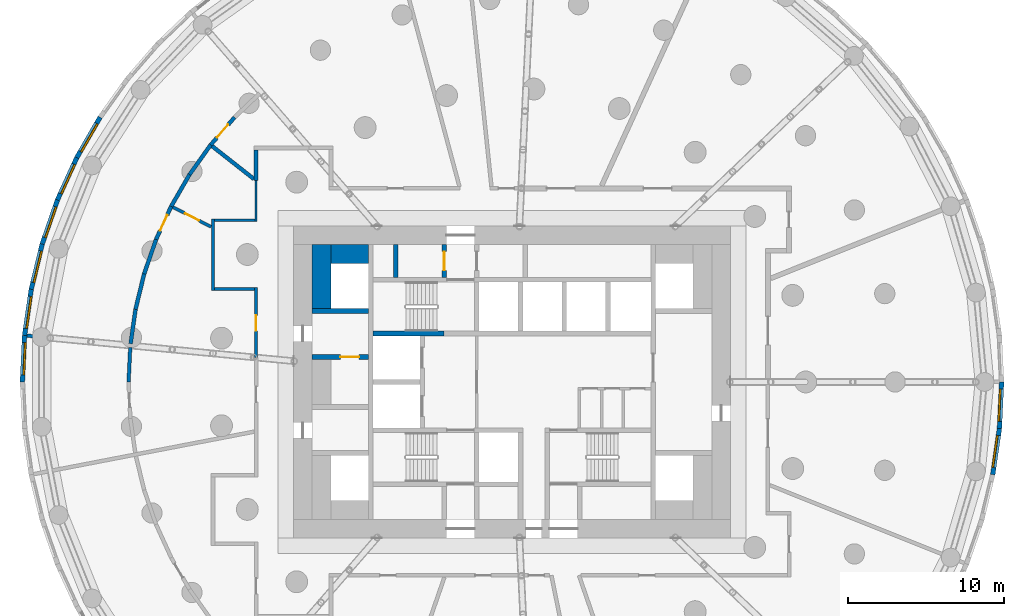
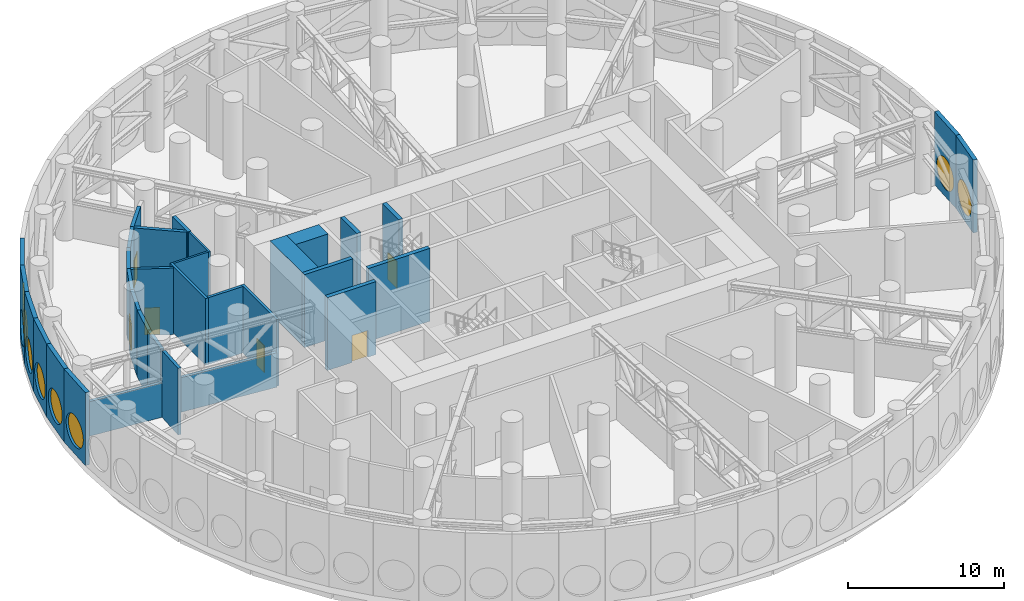
# One storey, part 12 of 17: 32 walls, 8 windows, 6 doors, 14 openings.
"""IFC4 building model written with IfcOpenShell, lengths in metres."""

from ifc_helpers import new_model, si_unit, direction, frame, frame_2d, origin, origin_2d, place, context, subcontext, project, spatial, rectangle, circle, extrude, material, layer, layer_set, type_object, element, fill, save


model = new_model("IFC4")

# Units and contexts
model_context = context("Model", 3, precision=1e-05, world=origin(), true_north=direction((0.0, 1.0)))
body_context = subcontext(model_context, "Body", "Model", "MODEL_VIEW")
ifc_project = project(units=[si_unit("LENGTHUNIT", "METRE"), si_unit("AREAUNIT", "SQUARE_METRE"), si_unit("VOLUMEUNIT", "CUBIC_METRE"), si_unit("PLANEANGLEUNIT", "RADIAN"), si_unit("MASSUNIT", "GRAM", prefix="KILO")], contexts=[model_context])

# Site, building, storey
site_placement = place(None, origin())
site = spatial("IfcSite", under=ifc_project, at=site_placement, CompositionType="ELEMENT")
building_placement = place(site_placement, origin())
building = spatial("IfcBuilding", under=site, at=building_placement, Name="Tracery Tower", CompositionType="ELEMENT")
storey_placement = place(building_placement, frame((0.0, 0.0, 120.0)))
storey = spatial("IfcBuildingStorey", under=building, at=storey_placement, Name="L30 Plant", CompositionType="ELEMENT", Elevation=120.0)

# Walls
ifc_material_1 = material(Name="Concrete C60/75", Category="concrete")
ifc_layer_1 = layer(ifc_material_1, 1.199951171875)
ifc_layer_set_1 = layer_set([ifc_layer_1], Name="Core strip wall 1200 C60")
wall_type_1 = type_object("IfcWallType", Name="Core strip wall 1200 C60", PredefinedType="SOLIDWALL", material=ifc_layer_set_1)
wall_1_placement = place(storey_placement, frame((-12.199951171875, 4.699951171875, 0.0), z_axis=(0.0, 0.0, 1.0), x_axis=(0.0, 1.0, 0.0)))
element("IfcWall", 1, at=wall_1_placement, inside=storey, type_object=wall_type_1, Name="L30 Plant wing strip -1 4.55", PredefinedType="SOLIDWALL", context=body_context, shape_type="SweptSolid", body=[
    extrude(rectangle(XDim=4.10009765625, YDim=1.199951171875, at=frame_2d((2.050048828125, 0.0))), origin(), (0.0, 0.0, 1.0), 5.699951171875),
])
wall_2_placement = place(storey_placement, frame((-11.60009765625, 8.199951171875, 0.0), z_axis=(0.0, 0.0, 1.0), x_axis=(1.0, 0.0, 0.0)))
element("IfcWall", 2, at=wall_2_placement, inside=storey, type_object=wall_type_1, Name="L30 Plant wing corner -1 +8.2", PredefinedType="SOLIDWALL", context=body_context, shape_type="SweptSolid", body=[
    extrude(rectangle(XDim=2.400146484375, YDim=1.199951171875, at=frame_2d((1.2001953125, 0.0))), origin(), (0.0, 0.0, 1.0), 5.699951171875),
])
ifc_material_2 = material(Name="Plasterboard on steel studs", Category="steel")
ifc_layer_2 = layer(ifc_material_2, 0.14990234375)
ifc_layer_set_2 = layer_set([ifc_layer_2], Name="Corridor partition 150")
wall_type_2 = type_object("IfcWallType", Name="Corridor partition 150", PredefinedType="PARTITIONING", material=ifc_layer_set_2)
wall_3_placement = place(storey_placement, frame((-16.47509765625, 10.36669921875, 0.0), z_axis=(0.0, 0.0, 1.0), x_axis=(-1.0, 0.0, 0.0)))
element("IfcWall", 3, at=wall_3_placement, inside=storey, type_object=wall_type_2, Name="Corridor partition 150", PredefinedType="PARTITIONING", context=body_context, shape_type="SweptSolid", body=[
    extrude(rectangle(XDim=2.5830078125, YDim=0.14990234375, at=frame_2d((1.29150390625, 0.0))), origin(), (0.0, 0.0, 1.0), 5.199951171875),
])
wall_4_placement = place(storey_placement, frame((-16.39990234375, 12.897216796875, 0.0), z_axis=(0.0, 0.0, 1.0), x_axis=(0.0, -1.0, 0.0)))
element("IfcWall", 4, at=wall_4_placement, inside=storey, type_object=wall_type_2, Name="Corridor partition 150", PredefinedType="PARTITIONING", context=body_context, shape_type="SweptSolid", body=[
    extrude(rectangle(XDim=2.605712890625, YDim=0.14990234375, at=frame_2d((1.302734375, 0.0))), origin(), (0.0, 0.0, 1.0), 5.199951171875),
])

# Wall, opening, door
ifc_material_3 = material(Name="Concrete blockwork", Category="masonry")
ifc_layer_3 = layer(ifc_material_3, 0.199951171875)
ifc_layer_set_3 = layer_set([ifc_layer_3], Name="Fire lobby wall 200")
wall_type_3 = type_object("IfcWallType", Name="Fire lobby wall 200", PredefinedType="PARTITIONING", material=ifc_layer_set_3)
wall_5_placement = place(storey_placement, frame((-21.724609375, 11.19970703125, 0.0), z_axis=(0.0, 0.0, 1.0), x_axis=(0.888871548498, -0.458156491028, 0.0)))
wall_5 = element("IfcWall", 5, at=wall_5_placement, inside=storey, type_object=wall_type_3, Name="Fire lobby wall 200", PredefinedType="PARTITIONING", context=body_context, shape_type="SweptSolid", body=[
    extrude(rectangle(XDim=2.7490234375, YDim=0.199951171875, at=frame_2d((1.37451171875, 0.0))), origin(), (0.0, 0.0, 1.0), 5.199951171875),
])
opening_1_placement = place(wall_5_placement, frame((0.881103515625, 0.0, 0.0)))
opening_1 = element("IfcOpeningElement", 6, at=opening_1_placement, cuts=wall_5, Name="Opening SB-P30-23", PredefinedType="OPENING", context=body_context, shape_type="SweptSolid", body=[
    extrude(rectangle(XDim=1.0, YDim=2.10009765625, at=frame_2d((0.5, 1.050048828125))), frame((0.0, 0.10009765625, 0.0), z_axis=(0.0, -1.0, 0.0), x_axis=(1.0, 0.0, 0.0)), (0.0, 0.0, 1.0), 0.199951171875),
])
ifc_material_4 = material(Name="Timber door leaf", Category="wood")
door_type_1 = type_object("IfcDoorType", Name="Accessible toilet door 1000", OperationType="NOTDEFINED", PredefinedType="DOOR", material=ifc_material_4)
door_1_placement = place(opening_1_placement, origin())
door_1 = element("IfcDoor", 7, at=door_1_placement, inside=storey, type_object=door_type_1, Name="Accessible toilet door 1000", OperationType="SINGLE_SWING_LEFT", OverallHeight=2.10009765625, OverallWidth=1.0, PredefinedType="DOOR", context=body_context, shape_type="SweptSolid", body=[
    extrude(rectangle(XDim=1.0, YDim=2.10009765625, at=frame_2d((0.5, 1.050048828125))), frame((0.0, 0.02490234375, 0.0), z_axis=(0.0, -1.0, 0.0), x_axis=(1.0, 0.0, 0.0)), (0.0, 0.0, 1.0), 0.050048828125),
])
fill(opening_1, door_1)

# Walls
wall_6_placement = place(storey_placement, frame((-19.05810546875, 5.966552734375, 0.0), z_axis=(0.0, 0.0, 1.0), x_axis=(1.0, 0.0, 0.0)))
element("IfcWall", 8, at=wall_6_placement, inside=storey, type_object=wall_type_3, Name="Fire lobby wall 200", PredefinedType="PARTITIONING", context=body_context, shape_type="SweptSolid", body=[
    extrude(rectangle(XDim=2.55810546875, YDim=0.199951171875, at=frame_2d((1.279052734375, 0.0))), origin(), (0.0, 0.0, 1.0), 5.199951171875),
])
wall_7_placement = place(storey_placement, frame((-19.158203125, 10.441650390625, 0.0), z_axis=(0.0, 0.0, 1.0), x_axis=(0.0, -1.0, 0.0)))
element("IfcWall", 9, at=wall_7_placement, inside=storey, type_object=wall_type_3, Name="Fire lobby wall 200", PredefinedType="PARTITIONING", context=body_context, shape_type="SweptSolid", body=[
    extrude(rectangle(XDim=4.574951171875, YDim=0.199951171875, at=frame_2d((2.28759765625, 0.0))), origin(), (0.0, 0.0, 1.0), 5.199951171875),
])

# Wall, opening, door
wall_8_placement = place(storey_placement, frame((-16.39990234375, 6.066650390625, 0.0), z_axis=(0.0, 0.0, 1.0), x_axis=(0.0, -1.0, 0.0)))
wall_8 = element("IfcWall", 10, at=wall_8_placement, inside=storey, type_object=wall_type_3, Name="Fire lobby wall 200", PredefinedType="PARTITIONING", context=body_context, shape_type="SweptSolid", body=[
    extrude(rectangle(XDim=4.500732421875, YDim=0.199951171875, at=frame_2d((2.25048828125, 0.0))), origin(), (0.0, 0.0, 1.0), 5.199951171875),
])
opening_2_placement = place(wall_8_placement, frame((1.80029296875, 0.0, 0.0)))
opening_2 = element("IfcOpeningElement", 11, at=opening_2_placement, cuts=wall_8, Name="Opening SB-P30-20", PredefinedType="OPENING", context=body_context, shape_type="SweptSolid", body=[
    extrude(rectangle(XDim=1.0, YDim=2.10009765625, at=frame_2d((0.5, 1.050048828125))), frame((0.0, 0.10009765625, 0.0), z_axis=(0.0, -1.0, 0.0), x_axis=(1.0, 0.0, 0.0)), (0.0, 0.0, 1.0), 0.199951171875),
])
ifc_material_5 = material(Name="Steel fire door", Category="steel")
door_type_2 = type_object("IfcDoorType", Name="Fire lobby door 1000", OperationType="NOTDEFINED", PredefinedType="DOOR", material=ifc_material_5)
door_2_placement = place(opening_2_placement, origin())
door_2 = element("IfcDoor", 12, at=door_2_placement, inside=storey, type_object=door_type_2, Name="Fire lobby door 1000", OperationType="SINGLE_SWING_LEFT", OverallHeight=2.10009765625, OverallWidth=1.0, PredefinedType="DOOR", context=body_context, shape_type="SweptSolid", body=[
    extrude(rectangle(XDim=1.0, YDim=2.10009765625, at=frame_2d((0.5, 1.050048828125))), frame((0.0, 0.02490234375, 0.0), z_axis=(0.0, -1.0, 0.0), x_axis=(1.0, 0.0, 0.0)), (0.0, 0.0, 1.0), 0.050048828125),
])
fill(opening_2, door_2)

# Wall, opening, window
ifc_material_6 = material(Name="Precast concrete C50/60", Category="concrete")
ifc_layer_4 = layer(ifc_material_6, 0.300048828125)
ifc_layer_set_4 = layer_set([ifc_layer_4], Name="Plant louvre panel 3000 x 5700")
wall_type_4 = type_object("IfcWallType", Name="Plant louvre panel 3000 x 5700", PredefinedType="SOLIDWALL", material=ifc_layer_set_4)
wall_9_placement = place(storey_placement, frame((-26.393798828125, 16.96240234375, 0.0), z_axis=(0.0, 0.0, 1.0), x_axis=(-0.500017373705, -0.866015372839, 0.0)))
wall_9 = element("IfcWall", 13, at=wall_9_placement, inside=storey, type_object=wall_type_4, Name="Plant louvre panel 28 at L30 Plant", PredefinedType="SOLIDWALL", context=body_context, shape_type="SweptSolid", body=[
    extrude(rectangle(XDim=2.98583984375, YDim=0.300048828125, at=frame_2d((1.492919921875, 0.0))), origin(), (0.0, 0.0, 1.0), 5.699951171875),
])
opening_3_placement = place(wall_9_placement, frame((1.492919921875, 0.0, 1.800048828125)))
opening_3 = element("IfcOpeningElement", 14, at=opening_3_placement, cuts=wall_9, Name="Opening LV1", PredefinedType="OPENING", context=body_context, shape_type="SweptSolid", body=[
    extrude(circle(Radius=1.199951171875, at=origin_2d()), frame((0.0, 0.159912109375, 0.0), z_axis=(0.0, -1.0, 0.0), x_axis=(1.0, 0.0, 0.0)), (0.0, 0.0, 1.0), 0.320068359375),
])
ifc_material_7 = material(Name="Aluminium louvre, bronze anodised", Category="aluminium")
window_type = type_object("IfcWindowType", Name="Louvred oculus 2400, sill 600", PartitioningType="SINGLE_PANEL", PredefinedType="WINDOW", material=ifc_material_7)
window_1_placement = place(opening_3_placement, origin())
window_1 = element("IfcWindow", 15, at=window_1_placement, inside=storey, type_object=window_type, Name="Louvred oculus 28 at L30 Plant", OverallHeight=2.39990234375, OverallWidth=2.39990234375, PartitioningType="SINGLE_PANEL", PredefinedType="WINDOW", context=body_context, shape_type="SweptSolid", body=[
    extrude(circle(Radius=1.199951171875, at=origin_2d()), frame((0.0, 0.1201171875, 0.0), z_axis=(0.0, -1.0, 0.0), x_axis=(1.0, 0.0, 0.0)), (0.0, 0.0, 1.0), 0.10009765625),
])
fill(opening_3, window_1)

wall_10_placement = place(storey_placement, frame((-27.88671875, 14.376708984375, 0.0), z_axis=(0.0, 0.0, 1.0), x_axis=(-0.415373250944, -0.909651066289, 0.0)))
wall_10 = element("IfcWall", 16, at=wall_10_placement, inside=storey, type_object=wall_type_4, Name="Plant louvre panel 29 at L30 Plant", PredefinedType="SOLIDWALL", context=body_context, shape_type="SweptSolid", body=[
    extrude(rectangle(XDim=2.98583984375, YDim=0.300048828125, at=frame_2d((1.492919921875, 0.0))), origin(), (0.0, 0.0, 1.0), 5.699951171875),
])
opening_4_placement = place(wall_10_placement, frame((1.492919921875, 0.0, 1.800048828125)))
opening_4 = element("IfcOpeningElement", 17, at=opening_4_placement, cuts=wall_10, Name="Opening LV1", PredefinedType="OPENING", context=body_context, shape_type="SweptSolid", body=[
    extrude(circle(Radius=1.199951171875, at=origin_2d()), frame((0.0, 0.159912109375, 0.0), z_axis=(0.0, -1.0, 0.0), x_axis=(1.0, 0.0, 0.0)), (0.0, 0.0, 1.0), 0.320068359375),
])
window_2_placement = place(opening_4_placement, origin())
window_2 = element("IfcWindow", 18, at=window_2_placement, inside=storey, type_object=window_type, Name="Louvred oculus 29 at L30 Plant", OverallHeight=2.39990234375, OverallWidth=2.39990234375, PartitioningType="SINGLE_PANEL", PredefinedType="WINDOW", context=body_context, shape_type="SweptSolid", body=[
    extrude(circle(Radius=1.199951171875, at=origin_2d()), frame((0.0, 0.1201171875, 0.0), z_axis=(0.0, -1.0, 0.0), x_axis=(1.0, 0.0, 0.0)), (0.0, 0.0, 1.0), 0.10009765625),
])
fill(opening_4, window_2)

wall_11_placement = place(storey_placement, frame((-29.126953125, 11.66064453125, 0.0), z_axis=(0.0, 0.0, 1.0), x_axis=(-0.327074054052, -0.944998710669, 0.0)))
wall_11 = element("IfcWall", 19, at=wall_11_placement, inside=storey, type_object=wall_type_4, Name="Plant louvre panel 30 at L30 Plant", PredefinedType="SOLIDWALL", context=body_context, shape_type="SweptSolid", body=[
    extrude(rectangle(XDim=2.98583984375, YDim=0.300048828125, at=frame_2d((1.492919921875, 0.0))), origin(), (0.0, 0.0, 1.0), 5.699951171875),
])
opening_5_placement = place(wall_11_placement, frame((1.492919921875, 0.0, 1.800048828125)))
opening_5 = element("IfcOpeningElement", 20, at=opening_5_placement, cuts=wall_11, Name="Opening LV1", PredefinedType="OPENING", context=body_context, shape_type="SweptSolid", body=[
    extrude(circle(Radius=1.199951171875, at=origin_2d()), frame((0.0, 0.159912109375, 0.0), z_axis=(0.0, -1.0, 0.0), x_axis=(1.0, 0.0, 0.0)), (0.0, 0.0, 1.0), 0.320068359375),
])
window_3_placement = place(opening_5_placement, origin())
window_3 = element("IfcWindow", 21, at=window_3_placement, inside=storey, type_object=window_type, Name="Louvred oculus 30 at L30 Plant", OverallHeight=2.39990234375, OverallWidth=2.39990234375, PartitioningType="SINGLE_PANEL", PredefinedType="WINDOW", context=body_context, shape_type="SweptSolid", body=[
    extrude(circle(Radius=1.199951171875, at=origin_2d()), frame((0.0, 0.1201171875, 0.0), z_axis=(0.0, -1.0, 0.0), x_axis=(1.0, 0.0, 0.0)), (0.0, 0.0, 1.0), 0.10009765625),
])
fill(opening_5, window_3)

wall_12_placement = place(storey_placement, frame((-30.103515625, 8.839111328125, 0.0), z_axis=(0.0, 0.0, 1.0), x_axis=(-0.235756834479, -0.971812078026, 0.0)))
wall_12 = element("IfcWall", 22, at=wall_12_placement, inside=storey, type_object=wall_type_4, Name="Plant louvre panel 31 at L30 Plant", PredefinedType="SOLIDWALL", context=body_context, shape_type="SweptSolid", body=[
    extrude(rectangle(XDim=2.985595703125, YDim=0.300048828125, at=frame_2d((1.49267578125, 0.0))), origin(), (0.0, 0.0, 1.0), 5.699951171875),
])
opening_6_placement = place(wall_12_placement, frame((1.492919921875, 0.0, 1.800048828125)))
opening_6 = element("IfcOpeningElement", 23, at=opening_6_placement, cuts=wall_12, Name="Opening LV1", PredefinedType="OPENING", context=body_context, shape_type="SweptSolid", body=[
    extrude(circle(Radius=1.199951171875, at=origin_2d()), frame((0.0, 0.159912109375, 0.0), z_axis=(0.0, -1.0, 0.0), x_axis=(1.0, 0.0, 0.0)), (0.0, 0.0, 1.0), 0.320068359375),
])
window_4_placement = place(opening_6_placement, origin())
window_4 = element("IfcWindow", 24, at=window_4_placement, inside=storey, type_object=window_type, Name="Louvred oculus 31 at L30 Plant", OverallHeight=2.39990234375, OverallWidth=2.39990234375, PartitioningType="SINGLE_PANEL", PredefinedType="WINDOW", context=body_context, shape_type="SweptSolid", body=[
    extrude(circle(Radius=1.199951171875, at=origin_2d()), frame((0.0, 0.1201171875, 0.0), z_axis=(0.0, -1.0, 0.0), x_axis=(1.0, 0.0, 0.0)), (0.0, 0.0, 1.0), 0.10009765625),
])
fill(opening_6, window_4)

wall_13_placement = place(storey_placement, frame((-30.807373046875, 5.937744140625, 0.0), z_axis=(0.0, 0.0, 1.0), x_axis=(-0.142360001917, -0.989814947278, 0.0)))
wall_13 = element("IfcWall", 25, at=wall_13_placement, inside=storey, type_object=wall_type_4, Name="Plant louvre panel 32 at L30 Plant", PredefinedType="SOLIDWALL", context=body_context, shape_type="SweptSolid", body=[
    extrude(rectangle(XDim=2.98583984375, YDim=0.300048828125, at=frame_2d((1.492919921875, 0.0))), origin(), (0.0, 0.0, 1.0), 5.699951171875),
])
opening_7_placement = place(wall_13_placement, frame((1.492919921875, 0.0, 1.800048828125)))
opening_7 = element("IfcOpeningElement", 26, at=opening_7_placement, cuts=wall_13, Name="Opening LV1", PredefinedType="OPENING", context=body_context, shape_type="SweptSolid", body=[
    extrude(circle(Radius=1.199951171875, at=origin_2d()), frame((0.0, 0.159912109375, 0.0), z_axis=(0.0, -1.0, 0.0), x_axis=(1.0, 0.0, 0.0)), (0.0, 0.0, 1.0), 0.320068359375),
])
window_5_placement = place(opening_7_placement, origin())
window_5 = element("IfcWindow", 27, at=window_5_placement, inside=storey, type_object=window_type, Name="Louvred oculus 32 at L30 Plant", OverallHeight=2.39990234375, OverallWidth=2.39990234375, PartitioningType="SINGLE_PANEL", PredefinedType="WINDOW", context=body_context, shape_type="SweptSolid", body=[
    extrude(circle(Radius=1.199951171875, at=origin_2d()), frame((0.0, 0.1201171875, 0.0), z_axis=(0.0, -1.0, 0.0), x_axis=(1.0, 0.0, 0.0)), (0.0, 0.0, 1.0), 0.10009765625),
])
fill(opening_7, window_5)

wall_14_placement = place(storey_placement, frame((-31.232421875, 2.982421875, 0.0), z_axis=(0.0, 0.0, 1.0), x_axis=(-0.047588458579, -0.998867027492, 0.0)))
wall_14 = element("IfcWall", 28, at=wall_14_placement, inside=storey, type_object=wall_type_4, Name="Plant louvre panel 33 at L30 Plant", PredefinedType="SOLIDWALL", context=body_context, shape_type="SweptSolid", body=[
    extrude(rectangle(XDim=2.98583984375, YDim=0.300048828125, at=frame_2d((1.492919921875, 0.0))), origin(), (0.0, 0.0, 1.0), 5.699951171875),
])
opening_8_placement = place(wall_14_placement, frame((1.492919921875, 0.0, 1.800048828125)))
opening_8 = element("IfcOpeningElement", 29, at=opening_8_placement, cuts=wall_14, Name="Opening LV1", PredefinedType="OPENING", context=body_context, shape_type="SweptSolid", body=[
    extrude(circle(Radius=1.199951171875, at=origin_2d()), frame((0.0, 0.159912109375, 0.0), z_axis=(0.0, -1.0, 0.0), x_axis=(1.0, 0.0, 0.0)), (0.0, 0.0, 1.0), 0.320068359375),
])
window_6_placement = place(opening_8_placement, origin())
window_6 = element("IfcWindow", 30, at=window_6_placement, inside=storey, type_object=window_type, Name="Louvred oculus 33 at L30 Plant", OverallHeight=2.39990234375, OverallWidth=2.39990234375, PartitioningType="SINGLE_PANEL", PredefinedType="WINDOW", context=body_context, shape_type="SweptSolid", body=[
    extrude(circle(Radius=1.199951171875, at=origin_2d()), frame((0.0, 0.1201171875, 0.0), z_axis=(0.0, -1.0, 0.0), x_axis=(1.0, 0.0, 0.0)), (0.0, 0.0, 1.0), 0.10009765625),
])
fill(opening_8, window_6)

wall_15_placement = place(storey_placement, frame((30.807373046875, -5.937744140625, 0.0), z_axis=(0.0, 0.0, 1.0), x_axis=(0.142360001917, 0.989814947278, 0.0)))
wall_15 = element("IfcWall", 31, at=wall_15_placement, inside=storey, type_object=wall_type_4, Name="Plant louvre panel 65 at L30 Plant", PredefinedType="SOLIDWALL", context=body_context, shape_type="SweptSolid", body=[
    extrude(rectangle(XDim=2.98583984375, YDim=0.300048828125, at=frame_2d((1.492919921875, 0.0))), origin(), (0.0, 0.0, 1.0), 5.699951171875),
])
opening_9_placement = place(wall_15_placement, frame((1.492919921875, 0.0, 1.800048828125)))
opening_9 = element("IfcOpeningElement", 32, at=opening_9_placement, cuts=wall_15, Name="Opening LV1", PredefinedType="OPENING", context=body_context, shape_type="SweptSolid", body=[
    extrude(circle(Radius=1.199951171875, at=origin_2d()), frame((0.0, 0.159912109375, 0.0), z_axis=(0.0, -1.0, 0.0), x_axis=(1.0, 0.0, 0.0)), (0.0, 0.0, 1.0), 0.320068359375),
])
window_7_placement = place(opening_9_placement, origin())
window_7 = element("IfcWindow", 33, at=window_7_placement, inside=storey, type_object=window_type, Name="Louvred oculus 65 at L30 Plant", OverallHeight=2.39990234375, OverallWidth=2.39990234375, PartitioningType="SINGLE_PANEL", PredefinedType="WINDOW", context=body_context, shape_type="SweptSolid", body=[
    extrude(circle(Radius=1.199951171875, at=origin_2d()), frame((0.0, 0.1201171875, 0.0), z_axis=(0.0, -1.0, 0.0), x_axis=(1.0, 0.0, 0.0)), (0.0, 0.0, 1.0), 0.10009765625),
])
fill(opening_9, window_7)

wall_16_placement = place(storey_placement, frame((31.232421875, -2.982421875, 0.0), z_axis=(0.0, 0.0, 1.0), x_axis=(0.047588458579, 0.998867027492, 0.0)))
wall_16 = element("IfcWall", 34, at=wall_16_placement, inside=storey, type_object=wall_type_4, Name="Plant louvre panel 66 at L30 Plant", PredefinedType="SOLIDWALL", context=body_context, shape_type="SweptSolid", body=[
    extrude(rectangle(XDim=2.98583984375, YDim=0.300048828125, at=frame_2d((1.492919921875, 0.0))), origin(), (0.0, 0.0, 1.0), 5.699951171875),
])
opening_10_placement = place(wall_16_placement, frame((1.492919921875, 0.0, 1.800048828125)))
opening_10 = element("IfcOpeningElement", 35, at=opening_10_placement, cuts=wall_16, Name="Opening LV1", PredefinedType="OPENING", context=body_context, shape_type="SweptSolid", body=[
    extrude(circle(Radius=1.199951171875, at=origin_2d()), frame((0.0, 0.159912109375, 0.0), z_axis=(0.0, -1.0, 0.0), x_axis=(1.0, 0.0, 0.0)), (0.0, 0.0, 1.0), 0.320068359375),
])
window_8_placement = place(opening_10_placement, origin())
window_8 = element("IfcWindow", 36, at=window_8_placement, inside=storey, type_object=window_type, Name="Louvred oculus 66 at L30 Plant", OverallHeight=2.39990234375, OverallWidth=2.39990234375, PartitioningType="SINGLE_PANEL", PredefinedType="WINDOW", context=body_context, shape_type="SweptSolid", body=[
    extrude(circle(Radius=1.199951171875, at=origin_2d()), frame((0.0, 0.1201171875, 0.0), z_axis=(0.0, -1.0, 0.0), x_axis=(1.0, 0.0, 0.0)), (0.0, 0.0, 1.0), 0.10009765625),
])
fill(opening_10, window_8)

# Walls
ifc_material_8 = material(Name="Concrete blockwork", Category="masonry")
ifc_layer_5 = layer(ifc_material_8, 0.22509765625)
ifc_layer_set_5 = layer_set([ifc_layer_5], Name="Plant room block wall 225")
wall_type_5 = type_object("IfcWallType", Name="Plant room block wall 225", PredefinedType="PARTITIONING", material=ifc_layer_set_5)
wall_17_placement = place(storey_placement, frame((-24.4609375, 2.219970703125, 0.0), z_axis=(0.0, 0.0, 1.0), x_axis=(-0.047565149415, -0.998868137724, 0.0)))
element("IfcWall", 37, at=wall_17_placement, inside=storey, type_object=wall_type_5, Name="Plant room block wall 225", PredefinedType="PARTITIONING", context=body_context, shape_type="SweptSolid", body=[
    extrude(rectangle(XDim=2.222412109375, YDim=0.22509765625, at=frame_2d((1.111328125, 0.0))), origin(), (0.0, 0.0, 1.0), 5.199951171875),
])
ifc_material_9 = material(Name="Concrete blockwork", Category="masonry")
ifc_layer_6 = layer(ifc_material_9, 0.22509765625)
ifc_layer_set_6 = layer_set([ifc_layer_6], Name="Plant wall under outrigger truss 225")
wall_type_6 = type_object("IfcWallType", Name="Plant wall under outrigger truss 225", PredefinedType="PARTITIONING", material=ifc_layer_set_6)
wall_18_placement = place(storey_placement, frame((-31.0830078125, 2.968017578125, 0.0), z_axis=(0.0, 0.0, 1.0), x_axis=(0.995471677184, -0.095058613098, 0.0)))
element("IfcWall", 38, at=wall_18_placement, inside=storey, type_object=wall_type_6, Name="Plant wall under outrigger truss 225", PredefinedType="PARTITIONING", context=body_context, shape_type="SweptSolid", body=[
    extrude(rectangle(XDim=14.63671875, YDim=0.22509765625, at=frame_2d((7.318359375, 0.0))), origin(), (0.0, 0.0, 1.0), 2.699951171875),
])
ifc_material_10 = material(Name="Concrete blockwork", Category="masonry")
ifc_layer_7 = layer(ifc_material_10, 0.25)
ifc_layer_set_7 = layer_set([ifc_layer_7], Name="Refuge block wall 250")
wall_type_7 = type_object("IfcWallType", Name="Refuge block wall 250", PredefinedType="PARTITIONING", material=ifc_layer_set_7)
wall_19_placement = place(storey_placement, frame((-24.122802734375, 4.6494140625, 0.0), z_axis=(0.0, 0.0, 1.0), x_axis=(-0.142267217793, -0.989828287503, 0.0)))
element("IfcWall", 39, at=wall_19_placement, inside=storey, type_object=wall_type_7, Name="Refuge block wall 250", PredefinedType="PARTITIONING", context=body_context, shape_type="SweptSolid", body=[
    extrude(rectangle(XDim=2.222412109375, YDim=0.25, at=frame_2d((1.111328125, 0.0))), origin(), (0.0, 0.0, 1.0), 5.199951171875),
])
wall_20_placement = place(storey_placement, frame((-23.571533203125, 6.921142578125, 0.0), z_axis=(0.0, 0.0, 1.0), x_axis=(-0.235821214509, -0.971796457489, 0.0)))
element("IfcWall", 40, at=wall_20_placement, inside=storey, type_object=wall_type_7, Name="Refuge block wall 250", PredefinedType="PARTITIONING", context=body_context, shape_type="SweptSolid", body=[
    extrude(rectangle(XDim=2.337646484375, YDim=0.25, at=frame_2d((1.1689453125, 0.0))), origin(), (0.0, 0.0, 1.0), 5.199951171875),
])
wall_21_placement = place(storey_placement, frame((-22.806884765625, 9.130615234375, 0.0), z_axis=(0.0, 0.0, 1.0), x_axis=(-0.327046007052, -0.945008417566, 0.0)))
element("IfcWall", 41, at=wall_21_placement, inside=storey, type_object=wall_type_7, Name="Refuge block wall 250", PredefinedType="PARTITIONING", context=body_context, shape_type="SweptSolid", body=[
    extrude(rectangle(XDim=2.338134765625, YDim=0.25, at=frame_2d((1.1689453125, 0.0))), origin(), (0.0, 0.0, 1.0), 5.199951171875),
])

# Wall, opening, door
wall_22_placement = place(storey_placement, frame((-22.806884765625, 9.130615234375, 0.0), z_axis=(0.0, 0.0, 1.0), x_axis=(0.415438886862, 0.909621092149, 0.0)))
wall_22 = element("IfcWall", 42, at=wall_22_placement, inside=storey, type_object=wall_type_7, Name="Refuge block wall 250", PredefinedType="PARTITIONING", context=body_context, shape_type="SweptSolid", body=[
    extrude(rectangle(XDim=2.337646484375, YDim=0.25, at=frame_2d((1.1689453125, 0.0))), origin(), (0.0, 0.0, 1.0), 5.199951171875),
])
opening_11_placement = place(wall_22_placement, frame((0.618896484375, 0.0, 0.0)))
opening_11 = element("IfcOpeningElement", 43, at=opening_11_placement, cuts=wall_22, Name="Opening SB-P30-21", PredefinedType="OPENING", context=body_context, shape_type="SweptSolid", body=[
    extrude(rectangle(XDim=1.10009765625, YDim=2.10009765625, at=frame_2d((0.550048828125, 1.050048828125))), frame((0.0, 0.125, 0.0), z_axis=(0.0, -1.0, 0.0), x_axis=(1.0, 0.0, 0.0)), (0.0, 0.0, 1.0), 0.25),
])
ifc_material_11 = material(Name="Steel fire door", Category="steel")
door_type_3 = type_object("IfcDoorType", Name="Refuge door 1100", OperationType="NOTDEFINED", PredefinedType="DOOR", material=ifc_material_11)
door_3_placement = place(opening_11_placement, origin())
door_3 = element("IfcDoor", 44, at=door_3_placement, inside=storey, type_object=door_type_3, Name="Refuge door 1100", OperationType="SINGLE_SWING_RIGHT", OverallHeight=2.10009765625, OverallWidth=1.10009765625, PredefinedType="DOOR", context=body_context, shape_type="SweptSolid", body=[
    extrude(rectangle(XDim=1.10009765625, YDim=2.10009765625, at=frame_2d((0.550048828125, 1.050048828125))), frame((0.0, 0.02490234375, 0.0), z_axis=(0.0, -1.0, 0.0), x_axis=(1.0, 0.0, 0.0)), (0.0, 0.0, 1.0), 0.050048828125),
])
fill(opening_11, door_3)

# Walls
wall_23_placement = place(storey_placement, frame((-20.666748046875, 13.28173828125, 0.0), z_axis=(0.0, 0.0, 1.0), x_axis=(-0.500002679963, -0.866023856502, 0.0)))
element("IfcWall", 45, at=wall_23_placement, inside=storey, type_object=wall_type_7, Name="Refuge block wall 250", PredefinedType="PARTITIONING", context=body_context, shape_type="SweptSolid", body=[
    extrude(rectangle(XDim=2.337890625, YDim=0.25, at=frame_2d((1.1689453125, 0.0))), origin(), (0.0, 0.0, 1.0), 5.199951171875),
])
wall_24_placement = place(storey_placement, frame((-19.310791015625, 15.18603515625, 0.0), z_axis=(0.0, 0.0, 1.0), x_axis=(-0.580032319147, -0.814593462252, 0.0)))
element("IfcWall", 46, at=wall_24_placement, inside=storey, type_object=wall_type_7, Name="Refuge block wall 250", PredefinedType="PARTITIONING", context=body_context, shape_type="SweptSolid", body=[
    extrude(rectangle(XDim=2.337646484375, YDim=0.25, at=frame_2d((1.1689453125, 0.0))), origin(), (0.0, 0.0, 1.0), 5.199951171875),
])
wall_25_placement = place(storey_placement, frame((-19.21240234375, 15.108642578125, 0.0), z_axis=(0.0, 0.0, 1.0), x_axis=(0.786080397648, -0.618124266174, 0.0)))
element("IfcWall", 47, at=wall_25_placement, inside=storey, type_object=wall_type_7, Name="Refuge block wall 250", PredefinedType="PARTITIONING", context=body_context, shape_type="SweptSolid", body=[
    extrude(rectangle(XDim=3.4189453125, YDim=0.25, at=frame_2d((1.70947265625, 0.0))), origin(), (0.0, 0.0, 1.0), 5.199951171875),
])

# Wall, opening, door
wall_26_placement = place(storey_placement, frame((-17.77978515625, 16.952880859375, 0.0), z_axis=(0.0, 0.0, 1.0), x_axis=(-0.654866925236, -0.755744209526, 0.0)))
wall_26 = element("IfcWall", 48, at=wall_26_placement, inside=storey, type_object=wall_type_7, Name="Refuge block wall 250", PredefinedType="PARTITIONING", context=body_context, shape_type="SweptSolid", body=[
    extrude(rectangle(XDim=2.337890625, YDim=0.25, at=frame_2d((1.1689453125, 0.0))), origin(), (0.0, 0.0, 1.0), 5.199951171875),
])
opening_12_placement = place(wall_26_placement, frame((0.618896484375, 0.0, 0.0)))
opening_12 = element("IfcOpeningElement", 49, at=opening_12_placement, cuts=wall_26, Name="Opening SB-P30-22", PredefinedType="OPENING", context=body_context, shape_type="SweptSolid", body=[
    extrude(rectangle(XDim=1.10009765625, YDim=2.10009765625, at=frame_2d((0.550048828125, 1.050048828125))), frame((0.0, 0.125, 0.0), z_axis=(0.0, -1.0, 0.0), x_axis=(1.0, 0.0, 0.0)), (0.0, 0.0, 1.0), 0.25),
])
door_4_placement = place(opening_12_placement, origin())
door_4 = element("IfcDoor", 50, at=door_4_placement, inside=storey, type_object=door_type_3, Name="Refuge door 1100", OperationType="SINGLE_SWING_LEFT", OverallHeight=2.10009765625, OverallWidth=1.10009765625, PredefinedType="DOOR", context=body_context, shape_type="SweptSolid", body=[
    extrude(rectangle(XDim=1.10009765625, YDim=2.10009765625, at=frame_2d((0.550048828125, 1.050048828125))), frame((0.0, 0.02490234375, 0.0), z_axis=(0.0, -1.0, 0.0), x_axis=(1.0, 0.0, 0.0)), (0.0, 0.0, 1.0), 0.050048828125),
])
fill(opening_12, door_4)

# Walls
wall_27_placement = place(storey_placement, frame((-16.39990234375, 14.87744140625, 0.0), z_axis=(0.0, 0.0, 1.0), x_axis=(0.0, -1.0, 0.0)))
element("IfcWall", 51, at=wall_27_placement, inside=storey, type_object=wall_type_7, Name="Refuge block wall 250", PredefinedType="PARTITIONING", context=body_context, shape_type="SweptSolid", body=[
    extrude(rectangle(XDim=1.980224609375, YDim=0.25, at=frame_2d((0.990234375, 0.0))), origin(), (0.0, 0.0, 1.0), 5.199951171875),
])
ifc_material_12 = material(Name="Concrete C60/75", Category="concrete")
ifc_layer_8 = layer(ifc_material_12, 0.300048828125)
ifc_layer_set_8 = layer_set([ifc_layer_8], Name="Shaft wall 300 C60")
wall_type_8 = type_object("IfcWallType", Name="Shaft wall 300 C60", PredefinedType="SOLIDWALL", material=ifc_layer_set_8)
wall_28_placement = place(storey_placement, frame((-7.449951171875, 6.699951171875, 0.0), z_axis=(0.0, 0.0, 1.0), x_axis=(0.0, 1.0, 0.0)))
element("IfcWall", 52, at=wall_28_placement, inside=storey, type_object=wall_type_8, Name="L30 Plant LR sep -7.45", PredefinedType="SOLIDWALL", context=body_context, shape_type="SweptSolid", body=[
    extrude(rectangle(XDim=2.10009765625, YDim=0.300048828125, at=frame_2d((1.050048828125, 0.0))), origin(), (0.0, 0.0, 1.0), 5.699951171875),
])

# Wall, opening, door
wall_29_placement = place(storey_placement, frame((-4.35009765625, 6.699951171875, 0.0), z_axis=(0.0, 0.0, 1.0), x_axis=(0.0, 1.0, 0.0)))
wall_29 = element("IfcWall", 53, at=wall_29_placement, inside=storey, type_object=wall_type_8, Name="L30 Plant LR sep -4.35", PredefinedType="SOLIDWALL", context=body_context, shape_type="SweptSolid", body=[
    extrude(rectangle(XDim=2.10009765625, YDim=0.300048828125, at=frame_2d((1.050048828125, 0.0))), origin(), (0.0, 0.0, 1.0), 5.699951171875),
])
opening_13_placement = place(wall_29_placement, frame((0.449951171875, 0.0, 0.0)))
opening_13 = element("IfcOpeningElement", 54, at=opening_13_placement, cuts=wall_29, Name="Opening KD41", PredefinedType="OPENING", context=body_context, shape_type="SweptSolid", body=[
    extrude(rectangle(XDim=1.199951171875, YDim=2.10009765625, at=frame_2d((0.60009765625, 1.050048828125))), frame((0.0, 0.14990234375, 0.0), z_axis=(0.0, -1.0, 0.0), x_axis=(1.0, 0.0, 0.0)), (0.0, 0.0, 1.0), 0.300048828125),
])
ifc_material_13 = material(Name="Steel fire door", Category="steel")
door_type_4 = type_object("IfcDoorType", Name="Core plant door 1200", OperationType="NOTDEFINED", PredefinedType="DOOR", material=ifc_material_13)
door_5_placement = place(opening_13_placement, origin())
door_5 = element("IfcDoor", 55, at=door_5_placement, inside=storey, type_object=door_type_4, Name="Machine room door LR3", OperationType="SINGLE_SWING_LEFT", OverallHeight=2.10009765625, OverallWidth=1.199951171875, PredefinedType="DOOR", context=body_context, shape_type="SweptSolid", body=[
    extrude(rectangle(XDim=1.199951171875, YDim=2.10009765625, at=frame_2d((0.60009765625, 1.050048828125))), frame((0.0, 0.02490234375, 0.0), z_axis=(0.0, -1.0, 0.0), x_axis=(1.0, 0.0, 0.0)), (0.0, 0.0, 1.0), 0.050048828125),
])
fill(opening_13, door_5)

# Wall
wall_30_placement = place(storey_placement, frame((-12.800048828125, 4.550048828125, 0.0), z_axis=(0.0, 0.0, 1.0), x_axis=(1.0, 0.0, 0.0)))
element("IfcWall", 56, at=wall_30_placement, inside=storey, type_object=wall_type_8, Name="L30 Plant wing shaft wall -1 +4.55", PredefinedType="SOLIDWALL", context=body_context, shape_type="SweptSolid", body=[
    extrude(rectangle(XDim=3.60009765625, YDim=0.300048828125, at=frame_2d((1.800048828125, 0.0))), origin(), (0.0, 0.0, 1.0), 5.699951171875),
])

# Wall, opening, door
wall_31_placement = place(storey_placement, frame((-12.800048828125, 1.60009765625, 0.0), z_axis=(0.0, 0.0, 1.0), x_axis=(1.0, 0.0, 0.0)))
wall_31 = element("IfcWall", 57, at=wall_31_placement, inside=storey, type_object=wall_type_8, Name="L30 Plant wing shaft wall -1 +1.60", PredefinedType="SOLIDWALL", context=body_context, shape_type="SweptSolid", body=[
    extrude(rectangle(XDim=3.60009765625, YDim=0.300048828125, at=frame_2d((1.800048828125, 0.0))), origin(), (0.0, 0.0, 1.0), 5.699951171875),
])
opening_14_placement = place(wall_31_placement, frame((1.800048828125, 0.0, 0.0)))
opening_14 = element("IfcOpeningElement", 58, at=opening_14_placement, cuts=wall_31, Name="Opening KD41", PredefinedType="OPENING", context=body_context, shape_type="SweptSolid", body=[
    extrude(rectangle(XDim=1.199951171875, YDim=2.10009765625, at=frame_2d((0.60009765625, 1.050048828125))), frame((0.0, 0.14990234375, 0.0), z_axis=(0.0, -1.0, 0.0), x_axis=(1.0, 0.0, 0.0)), (0.0, 0.0, 1.0), 0.300048828125),
])
door_6_placement = place(opening_14_placement, origin())
door_6 = element("IfcDoor", 59, at=door_6_placement, inside=storey, type_object=door_type_4, Name="Machine room door LR1", OperationType="SINGLE_SWING_LEFT", OverallHeight=2.10009765625, OverallWidth=1.199951171875, PredefinedType="DOOR", context=body_context, shape_type="SweptSolid", body=[
    extrude(rectangle(XDim=1.199951171875, YDim=2.10009765625, at=frame_2d((0.60009765625, 1.050048828125))), frame((0.0, 0.02490234375, 0.0), z_axis=(0.0, -1.0, 0.0), x_axis=(1.0, 0.0, 0.0)), (0.0, 0.0, 1.0), 0.050048828125),
])
fill(opening_14, door_6)

# Wall
ifc_material_14 = material(Name="Concrete C60/75", Category="concrete")
ifc_layer_9 = layer(ifc_material_14, 0.300048828125)
ifc_layer_set_9 = layer_set([ifc_layer_9], Name="Stair wall 300 C60")
wall_type_9 = type_object("IfcWallType", Name="Stair wall 300 C60", PredefinedType="SOLIDWALL", material=ifc_layer_set_9)
wall_32_placement = place(storey_placement, frame((-8.89990234375, 3.10009765625, 0.0), z_axis=(0.0, 0.0, 1.0), x_axis=(1.0, 0.0, 0.0)))
element("IfcWall", 60, at=wall_32_placement, inside=storey, type_object=wall_type_9, Name="L30 Plant row N W", PredefinedType="SOLIDWALL", context=body_context, shape_type="SweptSolid", body=[
    extrude(rectangle(XDim=4.5498046875, YDim=0.300048828125, at=frame_2d((2.27490234375, 0.0))), origin(), (0.0, 0.0, 1.0), 5.699951171875),
])

save(model, "model.ifc")
